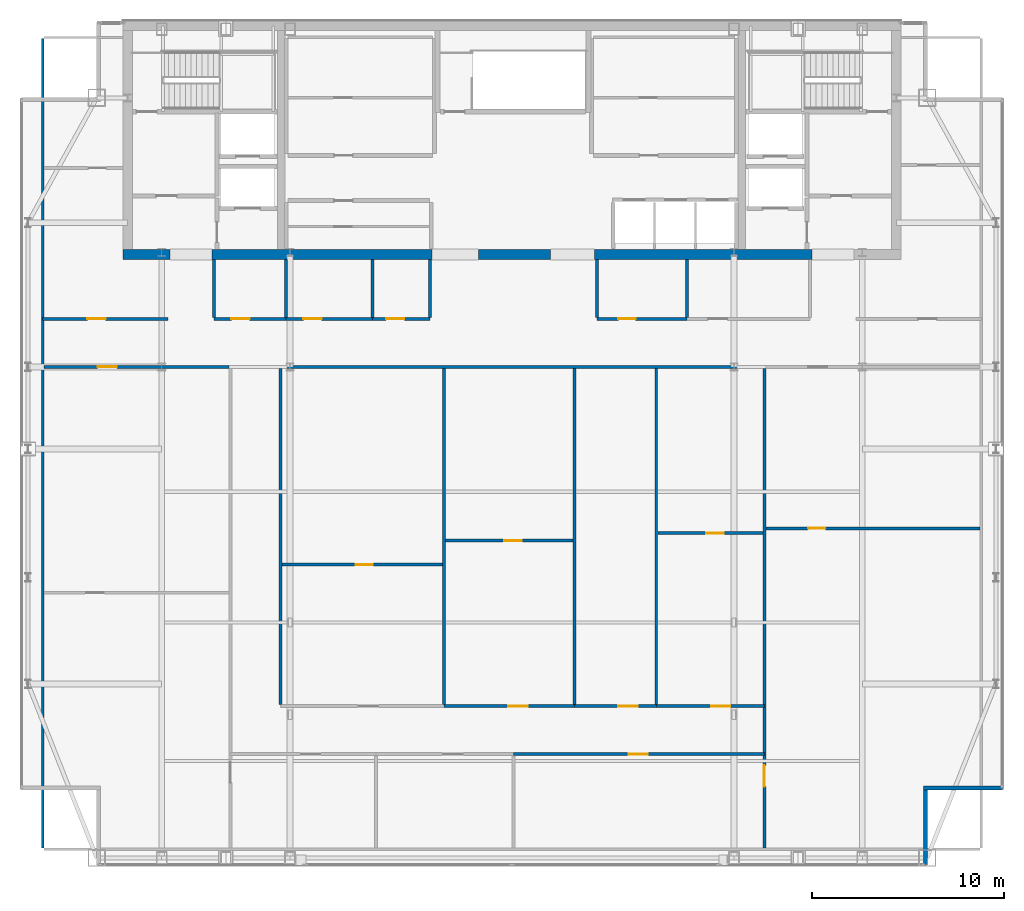
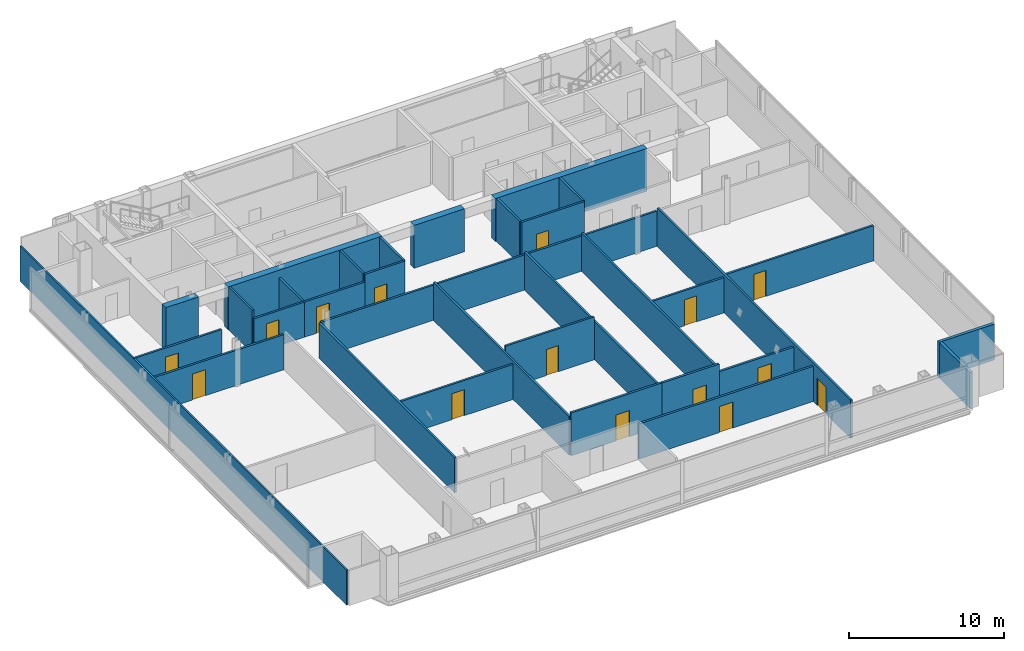
# One storey, part 19 of 24: 33 walls, 15 doors, 15 openings.
"""IFC4 building model written with IfcOpenShell, lengths in metres."""

from ifc_helpers import new_model, si_unit, direction, frame, frame_2d, origin, place, context, subcontext, project, spatial, rectangle, extrude, material, layer, layer_set, type_object, element, fill, save


model = new_model("IFC4")

# Units and contexts
model_context = context("Model", 3, precision=1e-05, world=origin(), true_north=direction((0.0, 1.0)))
body_context = subcontext(model_context, "Body", "Model", "MODEL_VIEW")
ifc_project = project(units=[si_unit("LENGTHUNIT", "METRE"), si_unit("AREAUNIT", "SQUARE_METRE"), si_unit("VOLUMEUNIT", "CUBIC_METRE"), si_unit("PLANEANGLEUNIT", "RADIAN"), si_unit("MASSUNIT", "GRAM", prefix="KILO")], contexts=[model_context])

# Site, building, storey
site_placement = place(None, origin())
site = spatial("IfcSite", under=ifc_project, at=site_placement, CompositionType="ELEMENT")
building_placement = place(site_placement, origin())
building = spatial("IfcBuilding", under=site, at=building_placement, Name="Khoronbel Lancet Exchange", CompositionType="ELEMENT")
storey_placement = place(building_placement, frame((0.0, 0.0, 347.0)))
storey = spatial("IfcBuildingStorey", under=building, at=storey_placement, Name="L90", CompositionType="ELEMENT", Elevation=347.0)

# Walls
ifc_material_1 = material(Name="Concrete C60/75", Category="concrete")
ifc_layer_1 = layer(ifc_material_1, 0.5, Name="Concrete C60/75")
ifc_layer_set_1 = layer_set([ifc_layer_1], Name="Concrete C60/75")
wall_type_1 = type_object("IfcWallType", Name="WL-CW4", PredefinedType="SHEAR", material=ifc_layer_set_1)
wall_1_placement = place(storey_placement, frame((18.64990234375, 41.550048828125, 0.0), z_axis=(0.0, 0.0, 1.0), x_axis=(-1.0, 0.0, 0.0)))
element("IfcWall", 1, at=wall_1_placement, inside=storey, type_object=wall_type_1, Name="Level L90 rear core south shear wall pier P1", PredefinedType="SHEAR", context=body_context, shape_type="SweptSolid", body=[
    extrude(rectangle(XDim=2.449951171875, YDim=0.5, at=frame_2d((1.22509765625, 0.0))), origin(), (0.0, 0.0, 1.0), 3.3798828125),
])
wall_2_placement = place(storey_placement, frame((32.300048828125, 41.550048828125, 0.0), z_axis=(0.0, 0.0, 1.0), x_axis=(-1.0, 0.0, 0.0)))
element("IfcWall", 2, at=wall_2_placement, inside=storey, type_object=wall_type_1, Name="Level L90 rear core south shear wall pier P2", PredefinedType="SHEAR", context=body_context, shape_type="SweptSolid", body=[
    extrude(rectangle(XDim=11.449951171875, YDim=0.5, at=frame_2d((5.72509765625, 0.0))), origin(), (0.0, 0.0, 1.0), 3.3798828125),
])
wall_3_placement = place(storey_placement, frame((38.449951171875, 41.550048828125, 0.0), z_axis=(0.0, 0.0, 1.0), x_axis=(-1.0, 0.0, 0.0)))
element("IfcWall", 3, at=wall_3_placement, inside=storey, type_object=wall_type_1, Name="Level L90 rear core south shear wall pier P3", PredefinedType="SHEAR", context=body_context, shape_type="SweptSolid", body=[
    extrude(rectangle(XDim=3.75, YDim=0.5, at=frame_2d((1.875, 0.0))), origin(), (0.0, 0.0, 1.0), 3.3798828125),
])
wall_4_placement = place(storey_placement, frame((52.050048828125, 41.550048828125, 0.0), z_axis=(0.0, 0.0, 1.0), x_axis=(-1.0, 0.0, 0.0)))
element("IfcWall", 4, at=wall_4_placement, inside=storey, type_object=wall_type_1, Name="Level L90 rear core south shear wall pier P4", PredefinedType="SHEAR", context=body_context, shape_type="SweptSolid", body=[
    extrude(rectangle(XDim=11.300048828125, YDim=0.5, at=frame_2d((5.64990234375, 0.0))), origin(), (0.0, 0.0, 1.0), 3.3798828125),
])
ifc_material_2 = material(Name="Precast concrete C40/50", Category="concrete")
ifc_layer_2 = layer(ifc_material_2, 0.25, Name="Precast concrete C40/50")
ifc_layer_set_2 = layer_set([ifc_layer_2], Name="Precast concrete C40/50")
wall_type_2 = type_object("IfcWallType", Name="WL-EXT250", PredefinedType="SOLIDWALL", material=ifc_layer_set_2)
wall_5_placement = place(storey_placement, frame((61.97998046875, 13.7900390625, 0.0), z_axis=(0.0, 0.0, 1.0), x_axis=(-1.0, 0.0, 0.0)))
element("IfcWall", 5, at=wall_5_placement, inside=storey, type_object=wall_type_2, Name="Level L90 notched-corner limestone pier 10", PredefinedType="SOLIDWALL", context=body_context, shape_type="SweptSolid", body=[
    extrude(rectangle(XDim=4.1298828125, YDim=0.219970703125, at=frame_2d((2.06494140625, 0.0))), origin(), (0.0, 0.0, 1.0), 2.820068359375),
])
wall_6_placement = place(storey_placement, frame((57.9599609375, 13.679931640625, 0.0), z_axis=(0.0, 0.0, 1.0), x_axis=(0.0, -1.0, 0.0)))
element("IfcWall", 6, at=wall_6_placement, inside=storey, type_object=wall_type_2, Name="Level L90 notched-corner limestone pier 11", PredefinedType="SOLIDWALL", context=body_context, shape_type="SweptSolid", body=[
    extrude(rectangle(XDim=3.909912109375, YDim=0.219970703125, at=frame_2d((1.955078125, 0.0))), origin(), (0.0, 0.0, 1.0), 2.820068359375),
])
ifc_material_3 = material(Name="Acoustic Metal-Stud & Mineral-Wool Gypsum Partition 120 mm", Category="gypsum")
ifc_layer_3 = layer(ifc_material_3, 0.1201171875, Name="Acoustic Metal-Stud & Mineral-Wool Gypsum Partition 120 mm")
ifc_layer_set_3 = layer_set([ifc_layer_3], Name="Acoustic Metal-Stud & Mineral-Wool Gypsum Partition 120 mm")
wall_type_3 = type_object("IfcWallType", Name="WL-PRT120", PredefinedType="PARTITIONING", material=ifc_layer_set_3)
wall_7_placement = place(storey_placement, frame((20.949951171875, 38.280029296875, 0.0), z_axis=(0.0, 0.0, 1.0), x_axis=(0.0, 1.0, 0.0)))
element("IfcWall", 7, at=wall_7_placement, inside=storey, type_object=wall_type_3, Name="Level L90 interior partition PW-WC-0", PredefinedType="PARTITIONING", context=body_context, shape_type="SweptSolid", body=[
    extrude(rectangle(XDim=3.02001953125, YDim=0.14990234375, at=frame_2d((1.510009765625, 0.0))), origin(), (0.0, 0.0, 1.0), 3.3798828125),
])
wall_8_placement = place(storey_placement, frame((24.699951171875, 38.280029296875, 0.0), z_axis=(0.0, 0.0, 1.0), x_axis=(0.0, 1.0, 0.0)))
element("IfcWall", 8, at=wall_8_placement, inside=storey, type_object=wall_type_3, Name="Level L90 interior partition PW-WC-1", PredefinedType="PARTITIONING", context=body_context, shape_type="SweptSolid", body=[
    extrude(rectangle(XDim=3.02001953125, YDim=0.14990234375, at=frame_2d((1.510009765625, 0.0))), origin(), (0.0, 0.0, 1.0), 2.77001953125),
])
for number, where, z_axis, x_axis, name in (
    (9, (29.199951171875, 38.280029296875, 0.0), (0.0, 0.0, 1.0), (0.0, 1.0, 0.0), "Level L90 interior partition PW-WC-2"),
    (10, (32.179931640625, 38.280029296875, 0.0), (0.0, 0.0, 1.0), (0.0, 1.0, 0.0), "Level L90 interior partition PW-WC-3"),
    (11, (40.8798828125, 38.280029296875, 0.0), (0.0, 0.0, 1.0), (0.0, 1.0, 0.0), "Level L90 interior partition PW-NP-0"),
    (12, (45.550048828125, 38.280029296875, 0.0), (0.0, 0.0, 1.0), (0.0, 1.0, 0.0), "Level L90 interior partition PW-NP-M"),
):
    element("IfcWall", number, at=place(storey_placement, frame(where, z_axis=z_axis, x_axis=x_axis)), inside=storey, type_object=wall_type_3, Name=name, PredefinedType="PARTITIONING", context=body_context, shape_type="SweptSolid", body=[
        extrude(rectangle(XDim=3.02001953125, YDim=0.14990234375, at=frame_2d((1.510009765625, 0.0))), origin(), (0.0, 0.0, 1.0), 3.3798828125),
    ])

# Wall, opening, door
wall_9_placement = place(storey_placement, frame((49.659912109375, 27.300048828125, 0.0), z_axis=(0.0, 0.0, 1.0), x_axis=(1.0, 0.0, 0.0)))
wall_9 = element("IfcWall", 13, at=wall_9_placement, inside=storey, type_object=wall_type_3, Name="Level L90 interior partition PW-Z4-EH", PredefinedType="PARTITIONING", context=body_context, shape_type="SweptSolid", body=[
    extrude(rectangle(XDim=11.14501953125, YDim=0.14990234375, at=frame_2d((5.572509765625, 0.0))), origin(), (0.0, 0.0, 1.0), 2.77001953125),
])
opening_1_placement = place(wall_9_placement, frame((2.199951171875, 0.0, 0.0)))
opening_1 = element("IfcOpeningElement", 14, at=opening_1_placement, cuts=wall_9, Name="Opening D5", PredefinedType="OPENING", context=body_context, shape_type="SweptSolid", body=[
    extrude(rectangle(XDim=0.89990234375, YDim=2.050048828125, at=frame_2d((0.449951171875, 1.02490234375))), frame((0.0, 0.0849609375, 0.0), z_axis=(0.0, -1.0, 0.0), x_axis=(1.0, 0.0, 0.0)), (0.0, 0.0, 1.0), 0.169921875),
])
ifc_material_4 = material(Name="Acoustic Timber Pantry & Support Door", Category="wood")
door_type_1 = type_object("IfcDoorType", Name="DR-D5", OperationType="NOTDEFINED", PredefinedType="DOOR", material=ifc_material_4)
door_1_placement = place(opening_1_placement, origin())
door_1 = element("IfcDoor", 15, at=door_1_placement, inside=storey, type_object=door_type_1, Name="East lens inner door L90-1", OperationType="SINGLE_SWING_RIGHT", OverallHeight=2.050048828125, OverallWidth=0.89990234375, PredefinedType="DOOR", context=body_context, shape_type="SweptSolid", body=[
    extrude(rectangle(XDim=0.89990234375, YDim=2.050048828125, at=frame_2d((0.449951171875, 1.02490234375))), frame((0.0, 0.02490234375, 0.0), z_axis=(0.0, -1.0, 0.0), x_axis=(1.0, 0.0, 0.0)), (0.0, 0.0, 1.0), 0.050048828125),
])
fill(opening_1, door_1)

wall_10_placement = place(storey_placement, frame((24.47998046875, 25.413818359375, 0.0), z_axis=(0.0, 0.0, 1.0), x_axis=(1.0, 0.0, 0.0)))
wall_10 = element("IfcWall", 16, at=wall_10_placement, inside=storey, type_object=wall_type_3, Name="Level L90 interior partition PW-Z4C-H1", PredefinedType="PARTITIONING", context=body_context, shape_type="SweptSolid", body=[
    extrude(rectangle(XDim=8.360107421875, YDim=0.14990234375, at=frame_2d((4.18017578125, 0.0))), origin(), (0.0, 0.0, 1.0), 2.77001953125),
])
opening_2_placement = place(wall_10_placement, frame((3.833984375, 0.0, 0.0)))
opening_2 = element("IfcOpeningElement", 17, at=opening_2_placement, cuts=wall_10, Name="Opening D5", PredefinedType="OPENING", context=body_context, shape_type="SweptSolid", body=[
    extrude(rectangle(XDim=0.89990234375, YDim=2.050048828125, at=frame_2d((0.449951171875, 1.02490234375))), frame((0.0, 0.0849609375, 0.0), z_axis=(0.0, -1.0, 0.0), x_axis=(1.0, 0.0, 0.0)), (0.0, 0.0, 1.0), 0.169921875),
])
door_2_placement = place(opening_2_placement, origin())
door_2 = element("IfcDoor", 18, at=door_2_placement, inside=storey, type_object=door_type_1, Name="Z4C inner door 1 L90-1", OperationType="SINGLE_SWING_RIGHT", OverallHeight=2.050048828125, OverallWidth=0.89990234375, PredefinedType="DOOR", context=body_context, shape_type="SweptSolid", body=[
    extrude(rectangle(XDim=0.89990234375, YDim=2.050048828125, at=frame_2d((0.449951171875, 1.02490234375))), frame((0.0, 0.02490234375, 0.0), z_axis=(0.0, -1.0, 0.0), x_axis=(1.0, 0.0, 0.0)), (0.0, 0.0, 1.0), 0.050048828125),
])
fill(opening_2, door_2)

wall_11_placement = place(storey_placement, frame((33.0, 26.664306640625, 0.0), z_axis=(0.0, 0.0, 1.0), x_axis=(1.0, 0.0, 0.0)))
wall_11 = element("IfcWall", 19, at=wall_11_placement, inside=storey, type_object=wall_type_3, Name="Level L90 interior partition PW-Z4C-H2", PredefinedType="PARTITIONING", context=body_context, shape_type="SweptSolid", body=[
    extrude(rectangle(XDim=6.6162109375, YDim=0.14990234375, at=frame_2d((3.30810546875, 0.0))), origin(), (0.0, 0.0, 1.0), 3.3798828125),
])
opening_3_placement = place(wall_11_placement, frame((3.04931640625, 0.0, 0.0)))
opening_3 = element("IfcOpeningElement", 20, at=opening_3_placement, cuts=wall_11, Name="Opening D5", PredefinedType="OPENING", context=body_context, shape_type="SweptSolid", body=[
    extrude(rectangle(XDim=0.89990234375, YDim=2.050048828125, at=frame_2d((0.449951171875, 1.02490234375))), frame((0.0, 0.0849609375, 0.0), z_axis=(0.0, -1.0, 0.0), x_axis=(1.0, 0.0, 0.0)), (0.0, 0.0, 1.0), 0.169921875),
])
door_3_placement = place(opening_3_placement, origin())
door_3 = element("IfcDoor", 21, at=door_3_placement, inside=storey, type_object=door_type_1, Name="Z4C inner door 2 L90-1", OperationType="SINGLE_SWING_RIGHT", OverallHeight=2.050048828125, OverallWidth=0.89990234375, PredefinedType="DOOR", context=body_context, shape_type="SweptSolid", body=[
    extrude(rectangle(XDim=0.89990234375, YDim=2.050048828125, at=frame_2d((0.449951171875, 1.02490234375))), frame((0.0, 0.02490234375, 0.0), z_axis=(0.0, -1.0, 0.0), x_axis=(1.0, 0.0, 0.0)), (0.0, 0.0, 1.0), 0.050048828125),
])
fill(opening_3, door_3)

wall_12_placement = place(storey_placement, frame((44.0361328125, 27.0537109375, 0.0), z_axis=(0.0, 0.0, 1.0), x_axis=(1.0, 0.0, 0.0)))
wall_12 = element("IfcWall", 22, at=wall_12_placement, inside=storey, type_object=wall_type_3, Name="Level L90 interior partition PW-Z4C-H4", PredefinedType="PARTITIONING", context=body_context, shape_type="SweptSolid", body=[
    extrude(rectangle(XDim=5.4638671875, YDim=0.14990234375, at=frame_2d((2.73193359375, 0.0))), origin(), (0.0, 0.0, 1.0), 2.77001953125),
])
opening_4_placement = place(wall_12_placement, frame((2.53076171875, 0.0, 0.0)))
opening_4 = element("IfcOpeningElement", 23, at=opening_4_placement, cuts=wall_12, Name="Opening D5", PredefinedType="OPENING", context=body_context, shape_type="SweptSolid", body=[
    extrude(rectangle(XDim=0.89990234375, YDim=2.050048828125, at=frame_2d((0.449951171875, 1.02490234375))), frame((0.0, 0.0849609375, 0.0), z_axis=(0.0, -1.0, 0.0), x_axis=(1.0, 0.0, 0.0)), (0.0, 0.0, 1.0), 0.169921875),
])
door_4_placement = place(opening_4_placement, origin())
door_4 = element("IfcDoor", 24, at=door_4_placement, inside=storey, type_object=door_type_1, Name="Z4C inner door 4 L90-1", OperationType="SINGLE_SWING_LEFT", OverallHeight=2.050048828125, OverallWidth=0.89990234375, PredefinedType="DOOR", context=body_context, shape_type="SweptSolid", body=[
    extrude(rectangle(XDim=0.89990234375, YDim=2.050048828125, at=frame_2d((0.449951171875, 1.02490234375))), frame((0.0, 0.02490234375, 0.0), z_axis=(0.0, -1.0, 0.0), x_axis=(1.0, 0.0, 0.0)), (0.0, 0.0, 1.0), 0.050048828125),
])
fill(opening_4, door_4)

# Wall
wall_13_placement = place(storey_placement, frame((12.030029296875, 10.6650390625, 0.0), z_axis=(0.0, 0.0, 1.0), x_axis=(0.0, 1.0, 0.0)))
element("IfcWall", 25, at=wall_13_placement, inside=storey, type_object=wall_type_3, Name="Level L90 interior partition PW-LIN-W", PredefinedType="PARTITIONING", context=body_context, shape_type="SweptSolid", body=[
    extrude(rectangle(XDim=42.10986328125, YDim=0.1201171875, at=frame_2d((21.054931640625, 0.0))), origin(), (0.0, 0.0, 1.0), 2.77001953125),
])

# Wall, opening, door
ifc_material_5 = material(Name="Fire-Rated Twin-Stud Acoustic Gypsum Partition 150 mm", Category="gypsum")
ifc_layer_4 = layer(ifc_material_5, 0.14990234375, Name="Fire-Rated Twin-Stud Acoustic Gypsum Partition 150 mm")
ifc_layer_set_4 = layer_set([ifc_layer_4], Name="Fire-Rated Twin-Stud Acoustic Gypsum Partition 150 mm")
wall_type_4 = type_object("IfcWallType", Name="WL-PRT150C", PredefinedType="PARTITIONING", material=ifc_layer_set_4)
wall_14_placement = place(storey_placement, frame((20.949951171875, 38.199951171875, 0.0), z_axis=(0.0, 0.0, 1.0), x_axis=(1.0, 0.0, 0.0)))
wall_14 = element("IfcWall", 26, at=wall_14_placement, inside=storey, type_object=wall_type_4, Name="Level L90 interior partition PW-WC-S1", PredefinedType="PARTITIONING", context=body_context, shape_type="SweptSolid", body=[
    extrude(rectangle(XDim=3.75, YDim=0.14990234375, at=frame_2d((1.875, 0.0))), origin(), (0.0, 0.0, 1.0), 2.77001953125),
])
opening_5_placement = place(wall_14_placement, frame((0.89990234375, 0.0, 0.0)))
opening_5 = element("IfcOpeningElement", 27, at=opening_5_placement, cuts=wall_14, Name="Opening D4", PredefinedType="OPENING", context=body_context, shape_type="SweptSolid", body=[
    extrude(rectangle(XDim=0.949951171875, YDim=2.050048828125, at=frame_2d((0.47509765625, 1.02490234375))), frame((0.0, 0.0849609375, 0.0), z_axis=(0.0, -1.0, 0.0), x_axis=(1.0, 0.0, 0.0)), (0.0, 0.0, 1.0), 0.169921875),
])
ifc_material_6 = material(Name="Moisture-Resistant HPL Washroom Door", Category="wood")
door_type_2 = type_object("IfcDoorType", Name="DR-D4", OperationType="NOTDEFINED", PredefinedType="DOOR", material=ifc_material_6)
door_5_placement = place(opening_5_placement, origin())
door_5 = element("IfcDoor", 28, at=door_5_placement, inside=storey, type_object=door_type_2, Name="Male washroom door L90-1", OperationType="SINGLE_SWING_RIGHT", OverallHeight=2.050048828125, OverallWidth=0.949951171875, PredefinedType="DOOR", context=body_context, shape_type="SweptSolid", body=[
    extrude(rectangle(XDim=0.949951171875, YDim=2.050048828125, at=frame_2d((0.47509765625, 1.02490234375))), frame((0.0, 0.02490234375, 0.0), z_axis=(0.0, -1.0, 0.0), x_axis=(1.0, 0.0, 0.0)), (0.0, 0.0, 1.0), 0.050048828125),
])
fill(opening_5, door_5)

wall_15_placement = place(storey_placement, frame((24.699951171875, 38.199951171875, 0.0), z_axis=(0.0, 0.0, 1.0), x_axis=(1.0, 0.0, 0.0)))
wall_15 = element("IfcWall", 29, at=wall_15_placement, inside=storey, type_object=wall_type_4, Name="Level L90 interior partition PW-WC-S2", PredefinedType="PARTITIONING", context=body_context, shape_type="SweptSolid", body=[
    extrude(rectangle(XDim=4.5, YDim=0.14990234375, at=frame_2d((2.25, 0.0))), origin(), (0.0, 0.0, 1.0), 2.77001953125),
])
opening_6_placement = place(wall_15_placement, frame((0.89990234375, 0.0, 0.0)))
opening_6 = element("IfcOpeningElement", 30, at=opening_6_placement, cuts=wall_15, Name="Opening D4", PredefinedType="OPENING", context=body_context, shape_type="SweptSolid", body=[
    extrude(rectangle(XDim=0.949951171875, YDim=2.050048828125, at=frame_2d((0.47509765625, 1.02490234375))), frame((0.0, 0.0849609375, 0.0), z_axis=(0.0, -1.0, 0.0), x_axis=(1.0, 0.0, 0.0)), (0.0, 0.0, 1.0), 0.169921875),
])
door_6_placement = place(opening_6_placement, origin())
door_6 = element("IfcDoor", 31, at=door_6_placement, inside=storey, type_object=door_type_2, Name="Female washroom door L90-1", OperationType="SINGLE_SWING_LEFT", OverallHeight=2.050048828125, OverallWidth=0.949951171875, PredefinedType="DOOR", context=body_context, shape_type="SweptSolid", body=[
    extrude(rectangle(XDim=0.949951171875, YDim=2.050048828125, at=frame_2d((0.47509765625, 1.02490234375))), frame((0.0, 0.02490234375, 0.0), z_axis=(0.0, -1.0, 0.0), x_axis=(1.0, 0.0, 0.0)), (0.0, 0.0, 1.0), 0.050048828125),
])
fill(opening_6, door_6)

wall_16_placement = place(storey_placement, frame((29.199951171875, 38.199951171875, 0.0), z_axis=(0.0, 0.0, 1.0), x_axis=(1.0, 0.0, 0.0)))
wall_16 = element("IfcWall", 32, at=wall_16_placement, inside=storey, type_object=wall_type_4, Name="Level L90 interior partition PW-WC-S3", PredefinedType="PARTITIONING", context=body_context, shape_type="SweptSolid", body=[
    extrude(rectangle(XDim=2.97998046875, YDim=0.14990234375, at=frame_2d((1.489990234375, 0.0))), origin(), (0.0, 0.0, 1.0), 3.3798828125),
])
opening_7_placement = place(wall_16_placement, frame((0.699951171875, 0.0, 0.0)))
opening_7 = element("IfcOpeningElement", 33, at=opening_7_placement, cuts=wall_16, Name="Opening D4", PredefinedType="OPENING", context=body_context, shape_type="SweptSolid", body=[
    extrude(rectangle(XDim=0.949951171875, YDim=2.050048828125, at=frame_2d((0.47509765625, 1.02490234375))), frame((0.0, 0.0849609375, 0.0), z_axis=(0.0, -1.0, 0.0), x_axis=(1.0, 0.0, 0.0)), (0.0, 0.0, 1.0), 0.169921875),
])
door_7_placement = place(opening_7_placement, origin())
door_7 = element("IfcDoor", 34, at=door_7_placement, inside=storey, type_object=door_type_2, Name="Accessible WC door L90-1", OperationType="SINGLE_SWING_RIGHT", OverallHeight=2.050048828125, OverallWidth=0.949951171875, PredefinedType="DOOR", context=body_context, shape_type="SweptSolid", body=[
    extrude(rectangle(XDim=0.949951171875, YDim=2.050048828125, at=frame_2d((0.47509765625, 1.02490234375))), frame((0.0, 0.02490234375, 0.0), z_axis=(0.0, -1.0, 0.0), x_axis=(1.0, 0.0, 0.0)), (0.0, 0.0, 1.0), 0.050048828125),
])
fill(opening_7, door_7)

wall_17_placement = place(storey_placement, frame((40.8798828125, 38.199951171875, 0.0), z_axis=(0.0, 0.0, 1.0), x_axis=(1.0, 0.0, 0.0)))
wall_17 = element("IfcWall", 35, at=wall_17_placement, inside=storey, type_object=wall_type_4, Name="Level L90 interior partition PW-NP-S1", PredefinedType="PARTITIONING", context=body_context, shape_type="SweptSolid", body=[
    extrude(rectangle(XDim=4.670166015625, YDim=0.14990234375, at=frame_2d((2.3349609375, 0.0))), origin(), (0.0, 0.0, 1.0), 3.3798828125),
])
opening_8_placement = place(wall_17_placement, frame((1.10009765625, 0.0, 0.0)))
opening_8 = element("IfcOpeningElement", 36, at=opening_8_placement, cuts=wall_17, Name="Opening D5", PredefinedType="OPENING", context=body_context, shape_type="SweptSolid", body=[
    extrude(rectangle(XDim=0.89990234375, YDim=2.050048828125, at=frame_2d((0.449951171875, 1.02490234375))), frame((0.0, 0.0849609375, 0.0), z_axis=(0.0, -1.0, 0.0), x_axis=(1.0, 0.0, 0.0)), (0.0, 0.0, 1.0), 0.169921875),
])
door_8_placement = place(opening_8_placement, origin())
door_8 = element("IfcDoor", 37, at=door_8_placement, inside=storey, type_object=door_type_1, Name="Floor refreshment pantry door L90-1", OperationType="SINGLE_SWING_LEFT", OverallHeight=2.050048828125, OverallWidth=0.89990234375, PredefinedType="DOOR", context=body_context, shape_type="SweptSolid", body=[
    extrude(rectangle(XDim=0.89990234375, YDim=2.050048828125, at=frame_2d((0.449951171875, 1.02490234375))), frame((0.0, 0.02490234375, 0.0), z_axis=(0.0, -1.0, 0.0), x_axis=(1.0, 0.0, 0.0)), (0.0, 0.0, 1.0), 0.050048828125),
])
fill(opening_8, door_8)

wall_18_placement = place(storey_placement, frame((12.030029296875, 38.199951171875, 0.0), z_axis=(0.0, 0.0, 1.0), x_axis=(1.0, 0.0, 0.0)))
wall_18 = element("IfcWall", 38, at=wall_18_placement, inside=storey, type_object=wall_type_4, Name="Level L90 interior partition PW-NW-S", PredefinedType="PARTITIONING", context=body_context, shape_type="SweptSolid", body=[
    extrude(rectangle(XDim=6.52001953125, YDim=0.14990234375, at=frame_2d((3.260009765625, 0.0))), origin(), (0.0, 0.0, 1.0), 2.77001953125),
])
opening_9_placement = place(wall_18_placement, frame((2.320068359375, 0.0, 0.0)))
opening_9 = element("IfcOpeningElement", 39, at=opening_9_placement, cuts=wall_18, Name="Opening D1", PredefinedType="OPENING", context=body_context, shape_type="SweptSolid", body=[
    extrude(rectangle(XDim=0.949951171875, YDim=2.050048828125, at=frame_2d((0.47509765625, 1.02490234375))), frame((0.0, 0.0849609375, 0.0), z_axis=(0.0, -1.0, 0.0), x_axis=(1.0, 0.0, 0.0)), (0.0, 0.0, 1.0), 0.169921875),
])
ifc_material_7 = material(Name="Acoustic Veneered Timber & Bronze Frame Door", Category="wood")
door_type_3 = type_object("IfcDoorType", Name="DR-D1", OperationType="NOTDEFINED", PredefinedType="DOOR", material=ifc_material_7)
door_9_placement = place(opening_9_placement, origin())
door_9 = element("IfcDoor", 40, at=door_9_placement, inside=storey, type_object=door_type_3, Name="NW corner room door L90-1", OperationType="SINGLE_SWING_LEFT", OverallHeight=2.050048828125, OverallWidth=0.949951171875, PredefinedType="DOOR", context=body_context, shape_type="SweptSolid", body=[
    extrude(rectangle(XDim=0.949951171875, YDim=2.050048828125, at=frame_2d((0.47509765625, 1.02490234375))), frame((0.0, 0.02490234375, 0.0), z_axis=(0.0, -1.0, 0.0), x_axis=(1.0, 0.0, 0.0)), (0.0, 0.0, 1.0), 0.050048828125),
])
fill(opening_9, door_9)

wall_19_placement = place(storey_placement, frame((12.094970703125, 35.699951171875, 0.0), z_axis=(0.0, 0.0, 1.0), x_axis=(1.0, 0.0, 0.0)))
wall_19 = element("IfcWall", 41, at=wall_19_placement, inside=storey, type_object=wall_type_4, Name="Level L90 interior partition PW-Z4-WN", PredefinedType="PARTITIONING", context=body_context, shape_type="SweptSolid", body=[
    extrude(rectangle(XDim=9.625, YDim=0.14990234375, at=frame_2d((4.8125, 0.0))), origin(), (0.0, 0.0, 1.0), 2.77001953125),
])
opening_10_placement = place(wall_19_placement, frame((2.800048828125, 0.0, 0.0)))
opening_10 = element("IfcOpeningElement", 42, at=opening_10_placement, cuts=wall_19, Name="Opening D2", PredefinedType="OPENING", context=body_context, shape_type="SweptSolid", body=[
    extrude(rectangle(XDim=1.0, YDim=2.050048828125, at=frame_2d((0.5, 1.02490234375))), frame((0.0, 0.0849609375, 0.0), z_axis=(0.0, -1.0, 0.0), x_axis=(1.0, 0.0, 0.0)), (0.0, 0.0, 1.0), 0.169921875),
])
door_type_4 = type_object("IfcDoorType", Name="DR-D2", OperationType="NOTDEFINED", PredefinedType="DOOR", material=ifc_material_7)
door_10_placement = place(opening_10_placement, origin())
door_10 = element("IfcDoor", 43, at=door_10_placement, inside=storey, type_object=door_type_4, Name="West lens north door L90-1", OperationType="SINGLE_SWING_RIGHT", OverallHeight=2.050048828125, OverallWidth=1.0, PredefinedType="DOOR", context=body_context, shape_type="SweptSolid", body=[
    extrude(rectangle(XDim=1.0, YDim=2.050048828125, at=frame_2d((0.5, 1.02490234375))), frame((0.0, 0.02490234375, 0.0), z_axis=(0.0, -1.0, 0.0), x_axis=(1.0, 0.0, 0.0)), (0.0, 0.0, 1.0), 0.050048828125),
])
fill(opening_10, door_10)

# Wall
wall_20_placement = place(storey_placement, frame((24.39990234375, 18.135009765625, 0.0), z_axis=(0.0, 0.0, 1.0), x_axis=(0.0, 1.0, 0.0)))
element("IfcWall", 44, at=wall_20_placement, inside=storey, type_object=wall_type_4, Name="Level L90 interior partition PW-Z4-WE", PredefinedType="PARTITIONING", context=body_context, shape_type="SweptSolid", body=[
    extrude(rectangle(XDim=17.485107421875, YDim=0.14990234375, at=frame_2d((8.74267578125, 0.0))), origin(), (0.0, 0.0, 1.0), 2.77001953125),
])

# Wall, opening, door
wall_21_placement = place(storey_placement, frame((49.580078125, 10.6650390625, 0.0), z_axis=(0.0, 0.0, 1.0), x_axis=(0.0, 1.0, 0.0)))
wall_21 = element("IfcWall", 45, at=wall_21_placement, inside=storey, type_object=wall_type_4, Name="Level L90 interior partition PW-Z4-PE", PredefinedType="PARTITIONING", context=body_context, shape_type="SweptSolid", body=[
    extrude(rectangle(XDim=24.955078125, YDim=0.14990234375, at=frame_2d((12.4775390625, 0.0))), origin(), (0.0, 0.0, 1.0), 3.010009765625),
])
opening_11_placement = place(wall_21_placement, frame((3.199951171875, 0.0, 0.0)))
opening_11 = element("IfcOpeningElement", 46, at=opening_11_placement, cuts=wall_21, Name="Opening D6", PredefinedType="OPENING", context=body_context, shape_type="SweptSolid", body=[
    extrude(rectangle(XDim=1.10009765625, YDim=2.10009765625, at=frame_2d((0.550048828125, 1.050048828125))), frame((0.0, 0.0849609375, 0.0), z_axis=(0.0, -1.0, 0.0), x_axis=(1.0, 0.0, 0.0)), (0.0, 0.0, 1.0), 0.169921875),
])
ifc_material_8 = material(Name="Acoustic Bronze-Veneer Executive Suite Door", Category="wood")
door_type_5 = type_object("IfcDoorType", Name="DR-D6", OperationType="NOTDEFINED", PredefinedType="DOOR", material=ifc_material_8)
door_11_placement = place(opening_11_placement, origin())
door_11 = element("IfcDoor", 47, at=door_11_placement, inside=storey, type_object=door_type_5, Name="East lens south door L90-1", OperationType="SINGLE_SWING_RIGHT", OverallHeight=2.10009765625, OverallWidth=1.10009765625, PredefinedType="DOOR", context=body_context, shape_type="SweptSolid", body=[
    extrude(rectangle(XDim=1.10009765625, YDim=2.10009765625, at=frame_2d((0.550048828125, 1.050048828125))), frame((0.0, 0.02490234375, 0.0), z_axis=(0.0, -1.0, 0.0), x_axis=(1.0, 0.0, 0.0)), (0.0, 0.0, 1.0), 0.050048828125),
])
fill(opening_11, door_11)

# Walls
wall_22_placement = place(storey_placement, frame((24.47998046875, 35.699951171875, 0.0), z_axis=(0.0, 0.0, 1.0), x_axis=(1.0, 0.0, 0.0)))
element("IfcWall", 48, at=wall_22_placement, inside=storey, type_object=wall_type_4, Name="Level L90 interior partition PW-Z4-EN1", PredefinedType="PARTITIONING", context=body_context, shape_type="SweptSolid", body=[
    extrude(rectangle(XDim=25.02001953125, YDim=0.14990234375, at=frame_2d((12.510009765625, 0.0))), origin(), (0.0, 0.0, 1.0), 2.77001953125),
])
for number, where, z_axis, x_axis, name in (
    (49, (32.919921875, 18.135009765625, 0.0), (0.0, 0.0, 1.0), (0.0, 1.0, 0.0), "Level L90 interior partition PW-Z4C-V1"),
    (50, (39.696044921875, 18.135009765625, 0.0), (0.0, 0.0, 1.0), (0.0, 1.0, 0.0), "Level L90 interior partition PW-Z4C-V2"),
    (51, (43.9560546875, 18.135009765625, 0.0), (0.0, 0.0, 1.0), (0.0, 1.0, 0.0), "Level L90 interior partition PW-Z4C-V3"),
):
    element("IfcWall", number, at=place(storey_placement, frame(where, z_axis=z_axis, x_axis=x_axis)), inside=storey, type_object=wall_type_4, Name=name, PredefinedType="PARTITIONING", context=body_context, shape_type="SweptSolid", body=[
        extrude(rectangle(XDim=17.485107421875, YDim=0.14990234375, at=frame_2d((8.74267578125, 0.0))), origin(), (0.0, 0.0, 1.0), 3.010009765625),
    ])

# Wall, opening, door
ifc_material_9 = material(Name="Fire-Rated Twin-Stud Acoustic Gypsum Partition 160 mm", Category="gypsum")
ifc_layer_5 = layer(ifc_material_9, 0.159912109375, Name="Fire-Rated Twin-Stud Acoustic Gypsum Partition 160 mm")
ifc_layer_set_5 = layer_set([ifc_layer_5], Name="Fire-Rated Twin-Stud Acoustic Gypsum Partition 160 mm")
wall_type_5 = type_object("IfcWallType", Name="WL-PRT160C", PredefinedType="PARTITIONING", material=ifc_layer_set_5)
wall_23_placement = place(storey_placement, frame((32.919921875, 18.050048828125, 0.0), z_axis=(0.0, 0.0, 1.0), x_axis=(1.0, 0.0, 0.0)))
wall_23 = element("IfcWall", 52, at=wall_23_placement, inside=storey, type_object=wall_type_5, Name="Level L90 interior partition PW-Z4C-COR2", PredefinedType="PARTITIONING", context=body_context, shape_type="SweptSolid", body=[
    extrude(rectangle(XDim=6.776123046875, YDim=0.159912109375, at=frame_2d((3.38818359375, 0.0))), origin(), (0.0, 0.0, 1.0), 3.3798828125),
])
opening_12_placement = place(wall_23_placement, frame((3.345947265625, 0.0, 0.0)))
opening_12 = element("IfcOpeningElement", 53, at=opening_12_placement, cuts=wall_23, Name="Opening D2", PredefinedType="OPENING", context=body_context, shape_type="SweptSolid", body=[
    extrude(rectangle(XDim=1.0, YDim=2.050048828125, at=frame_2d((0.5, 1.02490234375))), frame((0.0, 0.08984375, 0.0), z_axis=(0.0, -1.0, 0.0), x_axis=(1.0, 0.0, 0.0)), (0.0, 0.0, 1.0), 0.179931640625),
])
door_12_placement = place(opening_12_placement, origin())
door_12 = element("IfcDoor", 54, at=door_12_placement, inside=storey, type_object=door_type_4, Name="Z4C bay 2 door L90-1", OperationType="SINGLE_SWING_LEFT", OverallHeight=2.050048828125, OverallWidth=1.0, PredefinedType="DOOR", context=body_context, shape_type="SweptSolid", body=[
    extrude(rectangle(XDim=1.0, YDim=2.050048828125, at=frame_2d((0.5, 1.02490234375))), frame((0.0, 0.02490234375, 0.0), z_axis=(0.0, -1.0, 0.0), x_axis=(1.0, 0.0, 0.0)), (0.0, 0.0, 1.0), 0.050048828125),
])
fill(opening_12, door_12)

wall_24_placement = place(storey_placement, frame((39.696044921875, 18.050048828125, 0.0), z_axis=(0.0, 0.0, 1.0), x_axis=(1.0, 0.0, 0.0)))
wall_24 = element("IfcWall", 55, at=wall_24_placement, inside=storey, type_object=wall_type_5, Name="Level L90 interior partition PW-Z4C-COR3", PredefinedType="PARTITIONING", context=body_context, shape_type="SweptSolid", body=[
    extrude(rectangle(XDim=4.260009765625, YDim=0.159912109375, at=frame_2d((2.1298828125, 0.0))), origin(), (0.0, 0.0, 1.0), 3.3798828125),
])
opening_13_placement = place(wall_24_placement, frame((2.289306640625, 0.0, 0.0)))
opening_13 = element("IfcOpeningElement", 56, at=opening_13_placement, cuts=wall_24, Name="Opening D2", PredefinedType="OPENING", context=body_context, shape_type="SweptSolid", body=[
    extrude(rectangle(XDim=1.0, YDim=2.050048828125, at=frame_2d((0.5, 1.02490234375))), frame((0.0, 0.08984375, 0.0), z_axis=(0.0, -1.0, 0.0), x_axis=(1.0, 0.0, 0.0)), (0.0, 0.0, 1.0), 0.179931640625),
])
door_13_placement = place(opening_13_placement, origin())
door_13 = element("IfcDoor", 57, at=door_13_placement, inside=storey, type_object=door_type_4, Name="Z4C bay 3 door L90-1", OperationType="SINGLE_SWING_LEFT", OverallHeight=2.050048828125, OverallWidth=1.0, PredefinedType="DOOR", context=body_context, shape_type="SweptSolid", body=[
    extrude(rectangle(XDim=1.0, YDim=2.050048828125, at=frame_2d((0.5, 1.02490234375))), frame((0.0, 0.02490234375, 0.0), z_axis=(0.0, -1.0, 0.0), x_axis=(1.0, 0.0, 0.0)), (0.0, 0.0, 1.0), 0.050048828125),
])
fill(opening_13, door_13)

wall_25_placement = place(storey_placement, frame((43.9560546875, 18.050048828125, 0.0), z_axis=(0.0, 0.0, 1.0), x_axis=(1.0, 0.0, 0.0)))
wall_25 = element("IfcWall", 58, at=wall_25_placement, inside=storey, type_object=wall_type_5, Name="Level L90 interior partition PW-Z4C-COR4", PredefinedType="PARTITIONING", context=body_context, shape_type="SweptSolid", body=[
    extrude(rectangle(XDim=5.6240234375, YDim=0.159912109375, at=frame_2d((2.81201171875, 0.0))), origin(), (0.0, 0.0, 1.0), 2.77001953125),
])
opening_14_placement = place(wall_25_placement, frame((2.862060546875, 0.0, 0.0)))
opening_14 = element("IfcOpeningElement", 59, at=opening_14_placement, cuts=wall_25, Name="Opening D2", PredefinedType="OPENING", context=body_context, shape_type="SweptSolid", body=[
    extrude(rectangle(XDim=1.0, YDim=2.050048828125, at=frame_2d((0.5, 1.02490234375))), frame((0.0, 0.08984375, 0.0), z_axis=(0.0, -1.0, 0.0), x_axis=(1.0, 0.0, 0.0)), (0.0, 0.0, 1.0), 0.179931640625),
])
door_14_placement = place(opening_14_placement, origin())
door_14 = element("IfcDoor", 60, at=door_14_placement, inside=storey, type_object=door_type_4, Name="Z4C bay 4 door L90-1", OperationType="SINGLE_SWING_RIGHT", OverallHeight=2.050048828125, OverallWidth=1.0, PredefinedType="DOOR", context=body_context, shape_type="SweptSolid", body=[
    extrude(rectangle(XDim=1.0, YDim=2.050048828125, at=frame_2d((0.5, 1.02490234375))), frame((0.0, 0.02490234375, 0.0), z_axis=(0.0, -1.0, 0.0), x_axis=(1.0, 0.0, 0.0)), (0.0, 0.0, 1.0), 0.050048828125),
])
fill(opening_14, door_14)

wall_26_placement = place(storey_placement, frame((36.53173828125, 15.550048828125, 0.0), z_axis=(0.0, 0.0, 1.0), x_axis=(1.0, 0.0, 0.0)))
wall_26 = element("IfcWall", 61, at=wall_26_placement, inside=storey, type_object=wall_type_5, Name="Level L90 interior partition PW-Z4S-COR3", PredefinedType="PARTITIONING", context=body_context, shape_type="SweptSolid", body=[
    extrude(rectangle(XDim=13.04833984375, YDim=0.159912109375, at=frame_2d((6.524169921875, 0.0))), origin(), (0.0, 0.0, 1.0), 2.77001953125),
])
opening_15_placement = place(wall_26_placement, frame((5.980224609375, 0.0, 0.0)))
opening_15 = element("IfcOpeningElement", 62, at=opening_15_placement, cuts=wall_26, Name="Opening D2", PredefinedType="OPENING", context=body_context, shape_type="SweptSolid", body=[
    extrude(rectangle(XDim=1.0, YDim=2.050048828125, at=frame_2d((0.5, 1.02490234375))), frame((0.0, 0.08984375, 0.0), z_axis=(0.0, -1.0, 0.0), x_axis=(1.0, 0.0, 0.0)), (0.0, 0.0, 1.0), 0.179931640625),
])
door_15_placement = place(opening_15_placement, origin())
door_15 = element("IfcDoor", 63, at=door_15_placement, inside=storey, type_object=door_type_4, Name="Z4S bay 3 door L90-1", OperationType="SINGLE_SWING_RIGHT", OverallHeight=2.050048828125, OverallWidth=1.0, PredefinedType="DOOR", context=body_context, shape_type="SweptSolid", body=[
    extrude(rectangle(XDim=1.0, YDim=2.050048828125, at=frame_2d((0.5, 1.02490234375))), frame((0.0, 0.02490234375, 0.0), z_axis=(0.0, -1.0, 0.0), x_axis=(1.0, 0.0, 0.0)), (0.0, 0.0, 1.0), 0.050048828125),
])
fill(opening_15, door_15)

save(model, "model.ifc")
